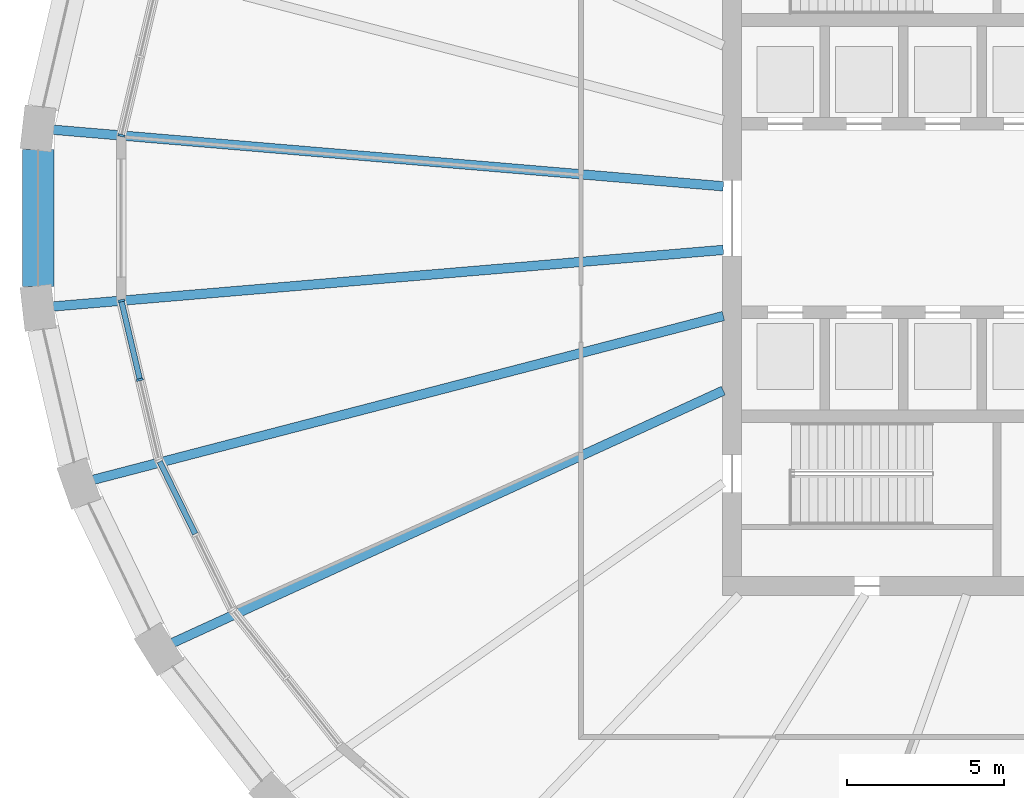
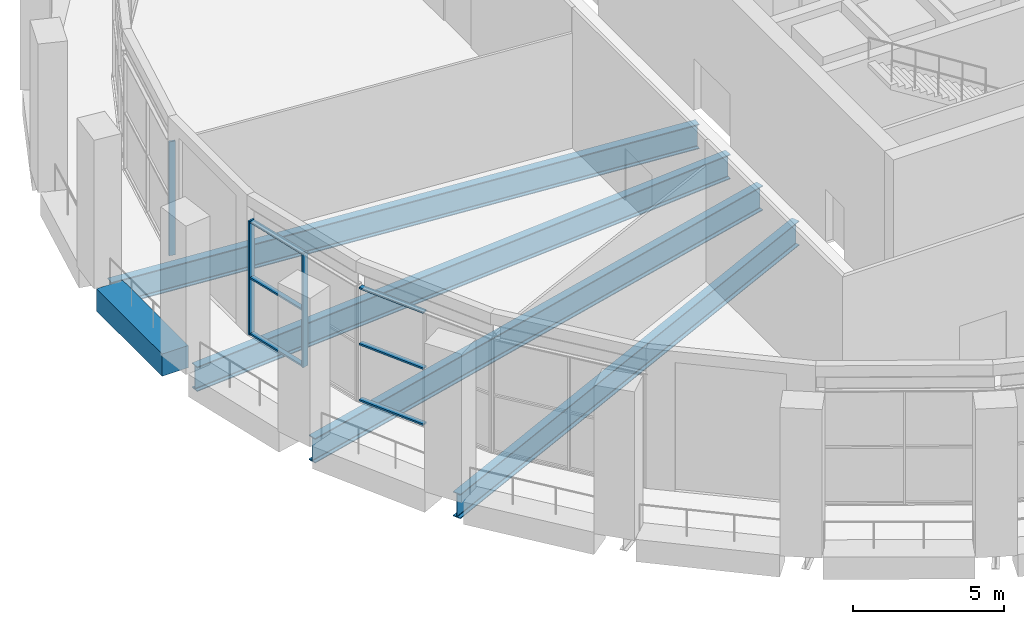
# One storey, part 3 of 19: 9 members, 5 beams, 3 elements without a shape of their own.
"""IFC4 building model written with IfcOpenShell, lengths in metres."""

from ifc_helpers import new_model, si_unit, direction, frame, origin, origin_2d, place, context, subcontext, project, spatial, rectangle, i_section, extrude, material, material_profile, profile_set, type_object, element, aggregate, save


model = new_model("IFC4")

# Units and contexts
model_context = context("Model", 3, precision=1e-05, world=origin(), true_north=direction((0.0, 1.0)))
body_context = subcontext(model_context, "Body", "Model", "MODEL_VIEW")
ifc_project = project(units=[si_unit("LENGTHUNIT", "METRE"), si_unit("AREAUNIT", "SQUARE_METRE"), si_unit("VOLUMEUNIT", "CUBIC_METRE"), si_unit("PLANEANGLEUNIT", "RADIAN"), si_unit("MASSUNIT", "GRAM", prefix="KILO")], contexts=[model_context])

# Site, building, storey
site_placement = place(None, origin())
site = spatial("IfcSite", under=ifc_project, at=site_placement, CompositionType="ELEMENT")
building_placement = place(site_placement, origin())
building = spatial("IfcBuilding", under=site, at=building_placement, Name="Halqa Exchange Tower", CompositionType="ELEMENT")
storey_placement = place(building_placement, frame((0.0, 0.0, 167.5)))
storey = spatial("IfcBuildingStorey", under=building, at=storey_placement, Name="L38", CompositionType="ELEMENT", Elevation=167.5)

# Beams
ifc_material_1 = material(Name="Steel S355", Category="steel")
ifc_material_profile_1 = material_profile(ifc_material_1, i_section(OverallWidth=0.300048828125, OverallDepth=0.989990234375, WebThickness=0.0166015625, FlangeThickness=0.031005859375, FilletRadius=0.030029296875, at=origin_2d()), Name="HEA 1000")
ifc_profile_set_1 = profile_set([ifc_material_profile_1], Name="Steel S355")
beam_type_1 = type_object("IfcBeamType", Name="Floor beam HEA 1000", PredefinedType="BEAM", material=ifc_profile_set_1)
beam_1_placement = place(storey_placement, frame((-11.972412109375, -5.4853515625, -0.844970703125), z_axis=(-0.909131678644, -0.416508812495, 0.0), x_axis=(0.416508812495, -0.909131678644, 0.0)))
element("IfcBeam", 1, at=beam_1_placement, inside=storey, type_object=beam_type_1, Name="Radial beam 19", PredefinedType="BEAM", context=body_context, shape_type="SweptSolid", body=[
    extrude(i_section(OverallWidth=0.300048828125, OverallDepth=0.989990234375, WebThickness=0.0166015625, FlangeThickness=0.031005859375, FilletRadius=0.030029296875, at=origin_2d()), origin(), (0.0, 0.0, 1.0), 19.36083984375),
])
ifc_material_profile_2 = material_profile(ifc_material_1, i_section(OverallWidth=0.300048828125, OverallDepth=1.0, WebThickness=0.01904296875, FlangeThickness=0.035888671875, FilletRadius=0.030029296875, at=origin_2d()), Name="HEB 1000")
ifc_profile_set_2 = profile_set([ifc_material_profile_2], Name="Steel S355")
beam_type_2 = type_object("IfcBeamType", Name="Floor beam HEB 1000", PredefinedType="BEAM", material=ifc_profile_set_2)
for number, where, z_axis, x_axis, name in (
    (2, (-11.972412109375, 1.0107421875, -0.85009765625), (-0.996455470836, 0.084121903455, 0.0), (-0.084121903455, -0.996455470836, 0.0), "Radial beam 16"),
    (3, (-11.972412109375, -1.0107421875, -0.85009765625), (-0.996455470836, -0.084121903455, 0.0), (0.084121903455, -0.996455470836, 0.0), "Radial beam 17"),
):
    element("IfcBeam", number, at=place(storey_placement, frame(where, z_axis=z_axis, x_axis=x_axis)), inside=storey, type_object=beam_type_2, Name=name, PredefinedType="BEAM", context=body_context, shape_type="SweptSolid", body=[
        extrude(i_section(OverallWidth=0.300048828125, OverallDepth=1.0, WebThickness=0.01904296875, FlangeThickness=0.035888671875, FilletRadius=0.030029296875, at=origin_2d()), origin(), (0.0, 0.0, 1.0), 21.490966796875),
    ])
beam_2_placement = place(storey_placement, frame((-11.97119140625, -3.11279296875, -0.85009765625), z_axis=(-0.967821534715, -0.251637590478, 0.0), x_axis=(0.251637590478, -0.967821534715, 0.0)))
element("IfcBeam", 4, at=beam_2_placement, inside=storey, type_object=beam_type_2, Name="Radial beam 18", PredefinedType="BEAM", context=body_context, shape_type="SweptSolid", body=[
    extrude(i_section(OverallWidth=0.300048828125, OverallDepth=1.0, WebThickness=0.01904296875, FlangeThickness=0.035888671875, FilletRadius=0.030029296875, at=origin_2d()), origin(), (0.0, 0.0, 1.0), 20.79638671875),
])
ifc_material_2 = material(Name="Concrete C60/75", Category="concrete")
ifc_material_profile_3 = material_profile(ifc_material_2, rectangle(XDim=1.0, YDim=0.89990234375, at=origin_2d()), Name="1000 x 900")
ifc_profile_set_3 = profile_set([ifc_material_profile_3], Name="Concrete C60/75")
beam_type_3 = type_object("IfcBeamType", Name="RC spandrel beam 1000 x 900 C60/75", PredefinedType="SPANDREL", material=ifc_profile_set_3)
beam_3_placement = place(storey_placement, frame((-33.7578125, 2.173828125, -0.449951171875), z_axis=(0.0, -1.0, 0.0), x_axis=(1.0, 0.0, 0.0)))
element("IfcBeam", 5, at=beam_3_placement, inside=storey, type_object=beam_type_3, Name="Spandrel 16", PredefinedType="SPANDREL", context=body_context, shape_type="SweptSolid", body=[
    extrude(rectangle(XDim=1.0, YDim=0.89990234375, at=origin_2d()), origin(), (0.0, 0.0, 1.0), 4.34765625),
])

# Curtain wall, member
ifc_material_3 = material(Name="Anodised aluminium and clear glass", Category="aluminium")
curtain_wall_type = type_object("IfcCurtainWallType", Name="Sky lobby glazing", PredefinedType="NOTDEFINED", material=ifc_material_3)
curtain_wall_1_placement = place(storey_placement, origin())
curtain_wall_1 = element("IfcCurtainWall", 6, at=curtain_wall_1_placement, inside=storey, type_object=curtain_wall_type, Name="Sky lobby glazing run G15", PredefinedType="NOTDEFINED")
ifc_material_4 = material(Name="Anodised aluminium", Category="aluminium")
ifc_material_profile_4 = material_profile(ifc_material_4, rectangle(XDim=0.219970703125, YDim=0.070068359375, at=origin_2d()), Name="AL 70x220")
ifc_profile_set_4 = profile_set([ifc_material_profile_4], Name="Anodised aluminium")
member_type_1 = type_object("IfcMemberType", Name="Sky lobby glazing mullion 70 x 220", PredefinedType="MULLION", material=ifc_profile_set_4)
member_1_placement = place(storey_placement, frame((-31.11328125, 2.626953125, 0.0), z_axis=(0.0, 0.0, 1.0), x_axis=(0.973351612825, -0.229317766019, 0.0)))
member_1 = element("IfcMember", 7, at=member_1_placement, type_object=member_type_1, Name="G15 mullion 3", PredefinedType="MULLION", context=body_context, shape_type="SweptSolid", body=[
    extrude(rectangle(XDim=0.219970703125, YDim=0.070068359375, at=origin_2d()), origin(), (0.0, 0.0, 1.0), 4.60009765625),
])
aggregate(curtain_wall_1, [member_1])

# Curtain wall, members
curtain_wall_2_placement = place(storey_placement, origin())
curtain_wall_2 = element("IfcCurtainWall", 8, at=curtain_wall_2_placement, inside=storey, type_object=curtain_wall_type, Name="Sky lobby glazing run G17", PredefinedType="NOTDEFINED")
member_2_placement = place(storey_placement, frame((-31.11328125, -2.626953125, 0.0), z_axis=(0.0, 0.0, 1.0), x_axis=(0.973351612825, 0.229317766019, 0.0)))
member_2 = element("IfcMember", 9, at=member_2_placement, type_object=member_type_1, Name="G17 mullion 1", PredefinedType="MULLION", context=body_context, shape_type="SweptSolid", body=[
    extrude(rectangle(XDim=0.219970703125, YDim=0.070068359375, at=origin_2d()), origin(), (0.0, 0.0, 1.0), 4.60009765625),
])
member_3_placement = place(storey_placement, frame((-30.522216796875, -5.135498046875, 0.0), z_axis=(0.0, 0.0, 1.0), x_axis=(0.973351612825, 0.229317766019, 0.0)))
member_3 = element("IfcMember", 10, at=member_3_placement, type_object=member_type_1, Name="G17 mullion 2", PredefinedType="MULLION", context=body_context, shape_type="SweptSolid", body=[
    extrude(rectangle(XDim=0.219970703125, YDim=0.070068359375, at=origin_2d()), origin(), (0.0, 0.0, 1.0), 4.60009765625),
])
ifc_material_profile_5 = material_profile(ifc_material_4, rectangle(XDim=0.179931640625, YDim=0.070068359375, at=origin_2d()), Name="AL 70x180")
ifc_profile_set_5 = profile_set([ifc_material_profile_5], Name="Anodised aluminium")
member_type_2 = type_object("IfcMemberType", Name="Sky lobby glazing transom 70 x 180", PredefinedType="USERDEFINED", material=ifc_profile_set_5)
member_4_placement = place(storey_placement, frame((-31.105224609375, -2.660888671875, 0.034912109375), z_axis=(0.229316122458, -0.973352000039, 0.0), x_axis=(0.973352000039, 0.229316122458, 0.0)))
member_4 = element("IfcMember", 11, at=member_4_placement, type_object=member_type_2, Name="G17 transom 1.1", ObjectType="TRANSOM", PredefinedType="USERDEFINED", context=body_context, shape_type="SweptSolid", body=[
    extrude(rectangle(XDim=0.179931640625, YDim=0.070068359375, at=origin_2d()), origin(), (0.0, 0.0, 1.0), 2.50732421875),
])
member_5_placement = place(storey_placement, frame((-31.105224609375, -2.660888671875, 2.300048828125), z_axis=(0.229316122458, -0.973352000039, 0.0), x_axis=(0.973352000039, 0.229316122458, 0.0)))
member_5 = element("IfcMember", 12, at=member_5_placement, type_object=member_type_2, Name="G17 transom 1.2", ObjectType="TRANSOM", PredefinedType="USERDEFINED", context=body_context, shape_type="SweptSolid", body=[
    extrude(rectangle(XDim=0.179931640625, YDim=0.070068359375, at=origin_2d()), origin(), (0.0, 0.0, 1.0), 2.50732421875),
])
member_6_placement = place(storey_placement, frame((-31.105224609375, -2.660888671875, 4.56494140625), z_axis=(0.229316122458, -0.973352000039, 0.0), x_axis=(0.973352000039, 0.229316122458, 0.0)))
member_6 = element("IfcMember", 13, at=member_6_placement, type_object=member_type_2, Name="G17 transom 1.3", ObjectType="TRANSOM", PredefinedType="USERDEFINED", context=body_context, shape_type="SweptSolid", body=[
    extrude(rectangle(XDim=0.179931640625, YDim=0.070068359375, at=origin_2d()), origin(), (0.0, 0.0, 1.0), 2.50732421875),
])
aggregate(curtain_wall_2, [member_2, member_3, member_4, member_5, member_6])

curtain_wall_3_placement = place(storey_placement, origin())
curtain_wall_3 = element("IfcCurtainWall", 14, at=curtain_wall_3_placement, inside=storey, type_object=curtain_wall_type, Name="Sky lobby glazing run G18", PredefinedType="NOTDEFINED")
member_7_placement = place(storey_placement, frame((-29.892333984375, -7.740966796875, 0.034912109375), z_axis=(0.44045397845, -0.897775190606, 0.0), x_axis=(0.897775190606, 0.44045397845, 0.0)))
member_7 = element("IfcMember", 15, at=member_7_placement, type_object=member_type_2, Name="G18 transom 1.1", ObjectType="TRANSOM", PredefinedType="USERDEFINED", context=body_context, shape_type="SweptSolid", body=[
    extrude(rectangle(XDim=0.179931640625, YDim=0.070068359375, at=origin_2d()), origin(), (0.0, 0.0, 1.0), 2.56201171875),
])
member_8_placement = place(storey_placement, frame((-29.892333984375, -7.740966796875, 2.300048828125), z_axis=(0.44045397845, -0.897775190606, 0.0), x_axis=(0.897775190606, 0.44045397845, 0.0)))
member_8 = element("IfcMember", 16, at=member_8_placement, type_object=member_type_2, Name="G18 transom 1.2", ObjectType="TRANSOM", PredefinedType="USERDEFINED", context=body_context, shape_type="SweptSolid", body=[
    extrude(rectangle(XDim=0.179931640625, YDim=0.070068359375, at=origin_2d()), origin(), (0.0, 0.0, 1.0), 2.56201171875),
])
member_9_placement = place(storey_placement, frame((-29.892333984375, -7.740966796875, 4.56494140625), z_axis=(0.44045397845, -0.897775190606, 0.0), x_axis=(0.897775190606, 0.44045397845, 0.0)))
member_9 = element("IfcMember", 17, at=member_9_placement, type_object=member_type_2, Name="G18 transom 1.3", ObjectType="TRANSOM", PredefinedType="USERDEFINED", context=body_context, shape_type="SweptSolid", body=[
    extrude(rectangle(XDim=0.179931640625, YDim=0.070068359375, at=origin_2d()), origin(), (0.0, 0.0, 1.0), 2.56201171875),
])
aggregate(curtain_wall_3, [member_7, member_8, member_9])

save(model, "model.ifc")
